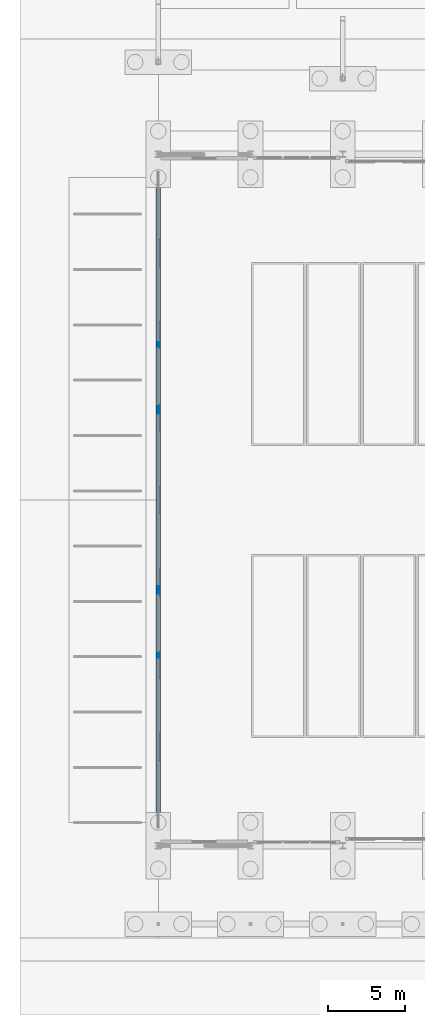
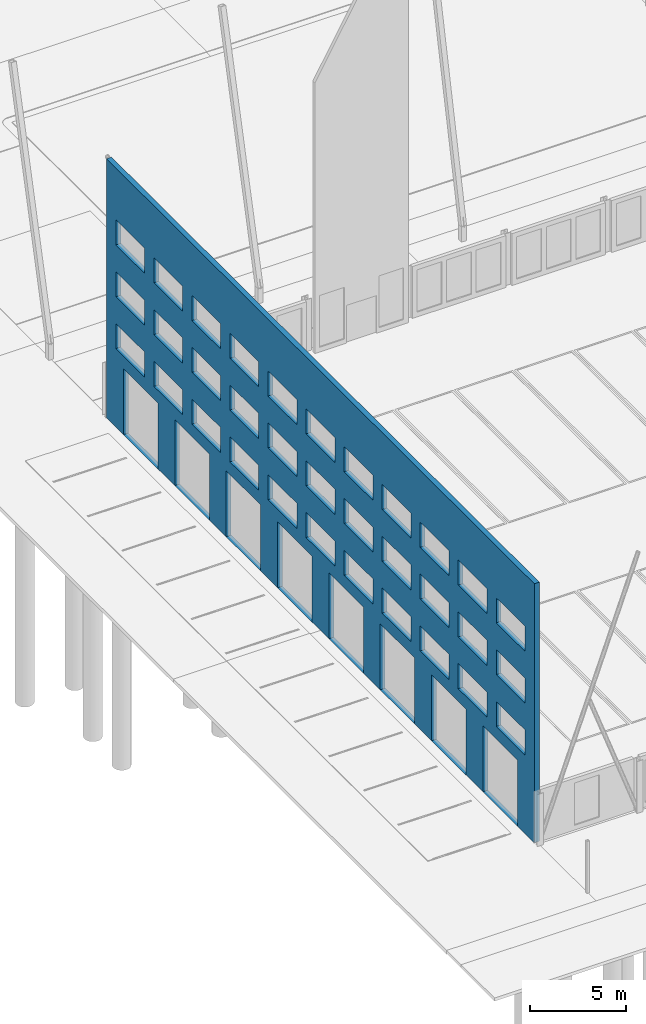
# One storey, part 77 of 130: 1 wall, 41 openings.
"""IFC4 building model written with IfcOpenShell, lengths in metres."""

from ifc_helpers import new_model, si_unit, direction, frame, frame_2d, origin, place, context, subcontext, project, spatial, rectangle, extrude, material, layer, layer_set, type_object, element, save


model = new_model("IFC4")

# Units and contexts
model_context = context("Model", 3, precision=1e-05, world=origin(), true_north=direction((0.0, 1.0)))
body_context = subcontext(model_context, "Body", "Model", "MODEL_VIEW")
ifc_project = project(units=[si_unit("LENGTHUNIT", "METRE"), si_unit("AREAUNIT", "SQUARE_METRE"), si_unit("VOLUMEUNIT", "CUBIC_METRE"), si_unit("PLANEANGLEUNIT", "RADIAN"), si_unit("MASSUNIT", "GRAM", prefix="KILO")], contexts=[model_context])

# Site, building, storey
site_placement = place(None, origin())
site = spatial("IfcSite", under=ifc_project, at=site_placement, CompositionType="ELEMENT")
building_placement = place(site_placement, origin())
building = spatial("IfcBuilding", under=site, at=building_placement, Name="Parallax Yard Mobility Hub", CompositionType="ELEMENT")
storey_placement = place(building_placement, origin())
storey = spatial("IfcBuildingStorey", under=building, at=storey_placement, Name="L00", CompositionType="ELEMENT", Elevation=0.0)

# Wall, openings
ifc_material = material(Name="Concrete fc' 35 MPa", Category="concrete")
ifc_layer = layer(ifc_material, 0.300048828125)
ifc_layer_set = layer_set([ifc_layer], Name="Portal end wall, Concrete fc' 35 MPa precast, 300")
wall_type = type_object("IfcWallType", Name="Portal end wall, Concrete fc' 35 MPa precast, 300", PredefinedType="SOLIDWALL", material=ifc_layer_set)
wall_placement = place(storey_placement, frame((9.0, 7.6865234375, 0.0), z_axis=(0.0, 0.0, 1.0), x_axis=(0.0, 1.0, 0.0)))
wall = element("IfcWall", 1, at=wall_placement, inside=storey, type_object=wall_type, Name="Bus hall west end wall bay 1 level L00", PredefinedType="SOLIDWALL", context=body_context, shape_type="SweptSolid", body=[
    extrude(rectangle(XDim=44.626953125, YDim=0.300048828125, at=frame_2d((22.3134765625, 0.0))), origin(), (0.0, 0.0, 1.0), 16.5),
])
opening_1_placement = place(wall_placement, frame((1.758544921875, 0.0, 0.0)))
element("IfcOpeningElement", 2, at=opening_1_placement, cuts=wall, Name="Opening L00-D107", PredefinedType="OPENING", context=body_context, shape_type="SweptSolid", body=[
    extrude(rectangle(XDim=3.60009765625, YDim=4.199951171875, at=frame_2d((1.800048828125, 2.10009765625))), frame((0.0, 0.16015625, 0.0), z_axis=(0.0, -1.0, 0.0), x_axis=(1.0, 0.0, 0.0)), (0.0, 0.0, 1.0), 0.320068359375),
])
opening_2_placement = place(wall_placement, frame((7.1171875, 0.0, 0.0)))
element("IfcOpeningElement", 3, at=opening_2_placement, cuts=wall, Name="Opening L00-D108", PredefinedType="OPENING", context=body_context, shape_type="SweptSolid", body=[
    extrude(rectangle(XDim=3.60009765625, YDim=4.199951171875, at=frame_2d((1.800048828125, 2.10009765625))), frame((0.0, 0.16015625, 0.0), z_axis=(0.0, -1.0, 0.0), x_axis=(1.0, 0.0, 0.0)), (0.0, 0.0, 1.0), 0.320068359375),
])
opening_3_placement = place(wall_placement, frame((12.4755859375, 0.0, 0.0)))
element("IfcOpeningElement", 4, at=opening_3_placement, cuts=wall, Name="Opening L00-D109", PredefinedType="OPENING", context=body_context, shape_type="SweptSolid", body=[
    extrude(rectangle(XDim=3.60009765625, YDim=4.199951171875, at=frame_2d((1.800048828125, 2.10009765625))), frame((0.0, 0.16015625, 0.0), z_axis=(0.0, -1.0, 0.0), x_axis=(1.0, 0.0, 0.0)), (0.0, 0.0, 1.0), 0.320068359375),
])
opening_4_placement = place(wall_placement, frame((17.834228515625, 0.0, 0.0)))
element("IfcOpeningElement", 5, at=opening_4_placement, cuts=wall, Name="Opening L00-D110", PredefinedType="OPENING", context=body_context, shape_type="SweptSolid", body=[
    extrude(rectangle(XDim=3.60009765625, YDim=4.199951171875, at=frame_2d((1.800048828125, 2.10009765625))), frame((0.0, 0.16015625, 0.0), z_axis=(0.0, -1.0, 0.0), x_axis=(1.0, 0.0, 0.0)), (0.0, 0.0, 1.0), 0.320068359375),
])
opening_5_placement = place(wall_placement, frame((23.19287109375, 0.0, 0.0)))
element("IfcOpeningElement", 6, at=opening_5_placement, cuts=wall, Name="Opening L00-D111", PredefinedType="OPENING", context=body_context, shape_type="SweptSolid", body=[
    extrude(rectangle(XDim=3.60009765625, YDim=4.199951171875, at=frame_2d((1.800048828125, 2.10009765625))), frame((0.0, 0.16015625, 0.0), z_axis=(0.0, -1.0, 0.0), x_axis=(1.0, 0.0, 0.0)), (0.0, 0.0, 1.0), 0.320068359375),
])
opening_6_placement = place(wall_placement, frame((28.55126953125, 0.0, 0.0)))
element("IfcOpeningElement", 7, at=opening_6_placement, cuts=wall, Name="Opening L00-D112", PredefinedType="OPENING", context=body_context, shape_type="SweptSolid", body=[
    extrude(rectangle(XDim=3.60009765625, YDim=4.199951171875, at=frame_2d((1.800048828125, 2.10009765625))), frame((0.0, 0.16015625, 0.0), z_axis=(0.0, -1.0, 0.0), x_axis=(1.0, 0.0, 0.0)), (0.0, 0.0, 1.0), 0.320068359375),
])
opening_7_placement = place(wall_placement, frame((33.909912109375, 0.0, 0.0)))
element("IfcOpeningElement", 8, at=opening_7_placement, cuts=wall, Name="Opening L00-D113", PredefinedType="OPENING", context=body_context, shape_type="SweptSolid", body=[
    extrude(rectangle(XDim=3.60009765625, YDim=4.199951171875, at=frame_2d((1.800048828125, 2.10009765625))), frame((0.0, 0.16015625, 0.0), z_axis=(0.0, -1.0, 0.0), x_axis=(1.0, 0.0, 0.0)), (0.0, 0.0, 1.0), 0.320068359375),
])
opening_8_placement = place(wall_placement, frame((39.268310546875, 0.0, 0.0)))
element("IfcOpeningElement", 9, at=opening_8_placement, cuts=wall, Name="Opening L00-D114", PredefinedType="OPENING", context=body_context, shape_type="SweptSolid", body=[
    extrude(rectangle(XDim=3.60009765625, YDim=4.199951171875, at=frame_2d((1.800048828125, 2.10009765625))), frame((0.0, 0.16015625, 0.0), z_axis=(0.0, -1.0, 0.0), x_axis=(1.0, 0.0, 0.0)), (0.0, 0.0, 1.0), 0.320068359375),
])
opening_9_placement = place(wall_placement, frame((0.968994140625, 0.0, 5.0)))
element("IfcOpeningElement", 10, at=opening_9_placement, cuts=wall, Name="Opening LV6", PredefinedType="OPENING", context=body_context, shape_type="SweptSolid", body=[
    extrude(rectangle(XDim=3.0, YDim=1.60009765625, at=frame_2d((1.5, 0.800048828125))), frame((0.0, 0.16015625, 0.0), z_axis=(0.0, -1.0, 0.0), x_axis=(1.0, 0.0, 0.0)), (0.0, 0.0, 1.0), 0.320068359375),
])
opening_10_placement = place(wall_placement, frame((4.937744140625, 0.0, 5.0)))
element("IfcOpeningElement", 11, at=opening_10_placement, cuts=wall, Name="Opening LV6", PredefinedType="OPENING", context=body_context, shape_type="SweptSolid", body=[
    extrude(rectangle(XDim=3.0, YDim=1.60009765625, at=frame_2d((1.5, 0.800048828125))), frame((0.0, 0.16015625, 0.0), z_axis=(0.0, -1.0, 0.0), x_axis=(1.0, 0.0, 0.0)), (0.0, 0.0, 1.0), 0.320068359375),
])
opening_11_placement = place(wall_placement, frame((8.90673828125, 0.0, 5.0)))
element("IfcOpeningElement", 12, at=opening_11_placement, cuts=wall, Name="Opening LV6", PredefinedType="OPENING", context=body_context, shape_type="SweptSolid", body=[
    extrude(rectangle(XDim=3.0, YDim=1.60009765625, at=frame_2d((1.5, 0.800048828125))), frame((0.0, 0.16015625, 0.0), z_axis=(0.0, -1.0, 0.0), x_axis=(1.0, 0.0, 0.0)), (0.0, 0.0, 1.0), 0.320068359375),
])
opening_12_placement = place(wall_placement, frame((12.875732421875, 0.0, 5.0)))
element("IfcOpeningElement", 13, at=opening_12_placement, cuts=wall, Name="Opening LV6", PredefinedType="OPENING", context=body_context, shape_type="SweptSolid", body=[
    extrude(rectangle(XDim=3.0, YDim=1.60009765625, at=frame_2d((1.5, 0.800048828125))), frame((0.0, 0.16015625, 0.0), z_axis=(0.0, -1.0, 0.0), x_axis=(1.0, 0.0, 0.0)), (0.0, 0.0, 1.0), 0.320068359375),
])
opening_13_placement = place(wall_placement, frame((16.844482421875, 0.0, 5.0)))
element("IfcOpeningElement", 14, at=opening_13_placement, cuts=wall, Name="Opening LV6", PredefinedType="OPENING", context=body_context, shape_type="SweptSolid", body=[
    extrude(rectangle(XDim=3.0, YDim=1.60009765625, at=frame_2d((1.5, 0.800048828125))), frame((0.0, 0.16015625, 0.0), z_axis=(0.0, -1.0, 0.0), x_axis=(1.0, 0.0, 0.0)), (0.0, 0.0, 1.0), 0.320068359375),
])
opening_14_placement = place(wall_placement, frame((20.8134765625, 0.0, 5.0)))
element("IfcOpeningElement", 15, at=opening_14_placement, cuts=wall, Name="Opening LV6", PredefinedType="OPENING", context=body_context, shape_type="SweptSolid", body=[
    extrude(rectangle(XDim=3.0, YDim=1.60009765625, at=frame_2d((1.5, 0.800048828125))), frame((0.0, 0.16015625, 0.0), z_axis=(0.0, -1.0, 0.0), x_axis=(1.0, 0.0, 0.0)), (0.0, 0.0, 1.0), 0.320068359375),
])
opening_15_placement = place(wall_placement, frame((24.782470703125, 0.0, 5.0)))
element("IfcOpeningElement", 16, at=opening_15_placement, cuts=wall, Name="Opening LV6", PredefinedType="OPENING", context=body_context, shape_type="SweptSolid", body=[
    extrude(rectangle(XDim=3.0, YDim=1.60009765625, at=frame_2d((1.5, 0.800048828125))), frame((0.0, 0.16015625, 0.0), z_axis=(0.0, -1.0, 0.0), x_axis=(1.0, 0.0, 0.0)), (0.0, 0.0, 1.0), 0.320068359375),
])
opening_16_placement = place(wall_placement, frame((28.751220703125, 0.0, 5.0)))
element("IfcOpeningElement", 17, at=opening_16_placement, cuts=wall, Name="Opening LV6", PredefinedType="OPENING", context=body_context, shape_type="SweptSolid", body=[
    extrude(rectangle(XDim=3.0, YDim=1.60009765625, at=frame_2d((1.5, 0.800048828125))), frame((0.0, 0.16015625, 0.0), z_axis=(0.0, -1.0, 0.0), x_axis=(1.0, 0.0, 0.0)), (0.0, 0.0, 1.0), 0.320068359375),
])
opening_17_placement = place(wall_placement, frame((32.72021484375, 0.0, 5.0)))
element("IfcOpeningElement", 18, at=opening_17_placement, cuts=wall, Name="Opening LV6", PredefinedType="OPENING", context=body_context, shape_type="SweptSolid", body=[
    extrude(rectangle(XDim=3.0, YDim=1.60009765625, at=frame_2d((1.5, 0.800048828125))), frame((0.0, 0.16015625, 0.0), z_axis=(0.0, -1.0, 0.0), x_axis=(1.0, 0.0, 0.0)), (0.0, 0.0, 1.0), 0.320068359375),
])
opening_18_placement = place(wall_placement, frame((36.689208984375, 0.0, 5.0)))
element("IfcOpeningElement", 19, at=opening_18_placement, cuts=wall, Name="Opening LV6", PredefinedType="OPENING", context=body_context, shape_type="SweptSolid", body=[
    extrude(rectangle(XDim=3.0, YDim=1.60009765625, at=frame_2d((1.5, 0.800048828125))), frame((0.0, 0.16015625, 0.0), z_axis=(0.0, -1.0, 0.0), x_axis=(1.0, 0.0, 0.0)), (0.0, 0.0, 1.0), 0.320068359375),
])
opening_19_placement = place(wall_placement, frame((40.658203125, 0.0, 5.0)))
element("IfcOpeningElement", 20, at=opening_19_placement, cuts=wall, Name="Opening LV6", PredefinedType="OPENING", context=body_context, shape_type="SweptSolid", body=[
    extrude(rectangle(XDim=3.0, YDim=1.60009765625, at=frame_2d((1.5, 0.800048828125))), frame((0.0, 0.16015625, 0.0), z_axis=(0.0, -1.0, 0.0), x_axis=(1.0, 0.0, 0.0)), (0.0, 0.0, 1.0), 0.320068359375),
])
opening_20_placement = place(wall_placement, frame((0.968994140625, 0.0, 8.300048828125)))
element("IfcOpeningElement", 21, at=opening_20_placement, cuts=wall, Name="Opening LV6", PredefinedType="OPENING", context=body_context, shape_type="SweptSolid", body=[
    extrude(rectangle(XDim=3.0, YDim=1.60009765625, at=frame_2d((1.5, 0.800048828125))), frame((0.0, 0.16015625, 0.0), z_axis=(0.0, -1.0, 0.0), x_axis=(1.0, 0.0, 0.0)), (0.0, 0.0, 1.0), 0.320068359375),
])
opening_21_placement = place(wall_placement, frame((4.937744140625, 0.0, 8.300048828125)))
element("IfcOpeningElement", 22, at=opening_21_placement, cuts=wall, Name="Opening LV6", PredefinedType="OPENING", context=body_context, shape_type="SweptSolid", body=[
    extrude(rectangle(XDim=3.0, YDim=1.60009765625, at=frame_2d((1.5, 0.800048828125))), frame((0.0, 0.16015625, 0.0), z_axis=(0.0, -1.0, 0.0), x_axis=(1.0, 0.0, 0.0)), (0.0, 0.0, 1.0), 0.320068359375),
])
opening_22_placement = place(wall_placement, frame((8.90673828125, 0.0, 8.300048828125)))
element("IfcOpeningElement", 23, at=opening_22_placement, cuts=wall, Name="Opening LV6", PredefinedType="OPENING", context=body_context, shape_type="SweptSolid", body=[
    extrude(rectangle(XDim=3.0, YDim=1.60009765625, at=frame_2d((1.5, 0.800048828125))), frame((0.0, 0.16015625, 0.0), z_axis=(0.0, -1.0, 0.0), x_axis=(1.0, 0.0, 0.0)), (0.0, 0.0, 1.0), 0.320068359375),
])
opening_23_placement = place(wall_placement, frame((12.875732421875, 0.0, 8.300048828125)))
element("IfcOpeningElement", 24, at=opening_23_placement, cuts=wall, Name="Opening LV6", PredefinedType="OPENING", context=body_context, shape_type="SweptSolid", body=[
    extrude(rectangle(XDim=3.0, YDim=1.60009765625, at=frame_2d((1.5, 0.800048828125))), frame((0.0, 0.16015625, 0.0), z_axis=(0.0, -1.0, 0.0), x_axis=(1.0, 0.0, 0.0)), (0.0, 0.0, 1.0), 0.320068359375),
])
opening_24_placement = place(wall_placement, frame((16.844482421875, 0.0, 8.300048828125)))
element("IfcOpeningElement", 25, at=opening_24_placement, cuts=wall, Name="Opening LV6", PredefinedType="OPENING", context=body_context, shape_type="SweptSolid", body=[
    extrude(rectangle(XDim=3.0, YDim=1.60009765625, at=frame_2d((1.5, 0.800048828125))), frame((0.0, 0.16015625, 0.0), z_axis=(0.0, -1.0, 0.0), x_axis=(1.0, 0.0, 0.0)), (0.0, 0.0, 1.0), 0.320068359375),
])
opening_25_placement = place(wall_placement, frame((20.8134765625, 0.0, 8.300048828125)))
element("IfcOpeningElement", 26, at=opening_25_placement, cuts=wall, Name="Opening LV6", PredefinedType="OPENING", context=body_context, shape_type="SweptSolid", body=[
    extrude(rectangle(XDim=3.0, YDim=1.60009765625, at=frame_2d((1.5, 0.800048828125))), frame((0.0, 0.16015625, 0.0), z_axis=(0.0, -1.0, 0.0), x_axis=(1.0, 0.0, 0.0)), (0.0, 0.0, 1.0), 0.320068359375),
])
opening_26_placement = place(wall_placement, frame((24.782470703125, 0.0, 8.300048828125)))
element("IfcOpeningElement", 27, at=opening_26_placement, cuts=wall, Name="Opening LV6", PredefinedType="OPENING", context=body_context, shape_type="SweptSolid", body=[
    extrude(rectangle(XDim=3.0, YDim=1.60009765625, at=frame_2d((1.5, 0.800048828125))), frame((0.0, 0.16015625, 0.0), z_axis=(0.0, -1.0, 0.0), x_axis=(1.0, 0.0, 0.0)), (0.0, 0.0, 1.0), 0.320068359375),
])
opening_27_placement = place(wall_placement, frame((28.751220703125, 0.0, 8.300048828125)))
element("IfcOpeningElement", 28, at=opening_27_placement, cuts=wall, Name="Opening LV6", PredefinedType="OPENING", context=body_context, shape_type="SweptSolid", body=[
    extrude(rectangle(XDim=3.0, YDim=1.60009765625, at=frame_2d((1.5, 0.800048828125))), frame((0.0, 0.16015625, 0.0), z_axis=(0.0, -1.0, 0.0), x_axis=(1.0, 0.0, 0.0)), (0.0, 0.0, 1.0), 0.320068359375),
])
opening_28_placement = place(wall_placement, frame((32.72021484375, 0.0, 8.300048828125)))
element("IfcOpeningElement", 29, at=opening_28_placement, cuts=wall, Name="Opening LV6", PredefinedType="OPENING", context=body_context, shape_type="SweptSolid", body=[
    extrude(rectangle(XDim=3.0, YDim=1.60009765625, at=frame_2d((1.5, 0.800048828125))), frame((0.0, 0.16015625, 0.0), z_axis=(0.0, -1.0, 0.0), x_axis=(1.0, 0.0, 0.0)), (0.0, 0.0, 1.0), 0.320068359375),
])
opening_29_placement = place(wall_placement, frame((36.689208984375, 0.0, 8.300048828125)))
element("IfcOpeningElement", 30, at=opening_29_placement, cuts=wall, Name="Opening LV6", PredefinedType="OPENING", context=body_context, shape_type="SweptSolid", body=[
    extrude(rectangle(XDim=3.0, YDim=1.60009765625, at=frame_2d((1.5, 0.800048828125))), frame((0.0, 0.16015625, 0.0), z_axis=(0.0, -1.0, 0.0), x_axis=(1.0, 0.0, 0.0)), (0.0, 0.0, 1.0), 0.320068359375),
])
opening_30_placement = place(wall_placement, frame((40.658203125, 0.0, 8.300048828125)))
element("IfcOpeningElement", 31, at=opening_30_placement, cuts=wall, Name="Opening LV6", PredefinedType="OPENING", context=body_context, shape_type="SweptSolid", body=[
    extrude(rectangle(XDim=3.0, YDim=1.60009765625, at=frame_2d((1.5, 0.800048828125))), frame((0.0, 0.16015625, 0.0), z_axis=(0.0, -1.0, 0.0), x_axis=(1.0, 0.0, 0.0)), (0.0, 0.0, 1.0), 0.320068359375),
])
opening_31_placement = place(wall_placement, frame((0.968994140625, 0.0, 11.60009765625)))
element("IfcOpeningElement", 32, at=opening_31_placement, cuts=wall, Name="Opening LV6", PredefinedType="OPENING", context=body_context, shape_type="SweptSolid", body=[
    extrude(rectangle(XDim=3.0, YDim=1.60009765625, at=frame_2d((1.5, 0.800048828125))), frame((0.0, 0.16015625, 0.0), z_axis=(0.0, -1.0, 0.0), x_axis=(1.0, 0.0, 0.0)), (0.0, 0.0, 1.0), 0.320068359375),
])
opening_32_placement = place(wall_placement, frame((4.937744140625, 0.0, 11.60009765625)))
element("IfcOpeningElement", 33, at=opening_32_placement, cuts=wall, Name="Opening LV6", PredefinedType="OPENING", context=body_context, shape_type="SweptSolid", body=[
    extrude(rectangle(XDim=3.0, YDim=1.60009765625, at=frame_2d((1.5, 0.800048828125))), frame((0.0, 0.16015625, 0.0), z_axis=(0.0, -1.0, 0.0), x_axis=(1.0, 0.0, 0.0)), (0.0, 0.0, 1.0), 0.320068359375),
])
opening_33_placement = place(wall_placement, frame((8.90673828125, 0.0, 11.60009765625)))
element("IfcOpeningElement", 34, at=opening_33_placement, cuts=wall, Name="Opening LV6", PredefinedType="OPENING", context=body_context, shape_type="SweptSolid", body=[
    extrude(rectangle(XDim=3.0, YDim=1.60009765625, at=frame_2d((1.5, 0.800048828125))), frame((0.0, 0.16015625, 0.0), z_axis=(0.0, -1.0, 0.0), x_axis=(1.0, 0.0, 0.0)), (0.0, 0.0, 1.0), 0.320068359375),
])
opening_34_placement = place(wall_placement, frame((12.875732421875, 0.0, 11.60009765625)))
element("IfcOpeningElement", 35, at=opening_34_placement, cuts=wall, Name="Opening LV6", PredefinedType="OPENING", context=body_context, shape_type="SweptSolid", body=[
    extrude(rectangle(XDim=3.0, YDim=1.60009765625, at=frame_2d((1.5, 0.800048828125))), frame((0.0, 0.16015625, 0.0), z_axis=(0.0, -1.0, 0.0), x_axis=(1.0, 0.0, 0.0)), (0.0, 0.0, 1.0), 0.320068359375),
])
opening_35_placement = place(wall_placement, frame((16.844482421875, 0.0, 11.60009765625)))
element("IfcOpeningElement", 36, at=opening_35_placement, cuts=wall, Name="Opening LV6", PredefinedType="OPENING", context=body_context, shape_type="SweptSolid", body=[
    extrude(rectangle(XDim=3.0, YDim=1.60009765625, at=frame_2d((1.5, 0.800048828125))), frame((0.0, 0.16015625, 0.0), z_axis=(0.0, -1.0, 0.0), x_axis=(1.0, 0.0, 0.0)), (0.0, 0.0, 1.0), 0.320068359375),
])
opening_36_placement = place(wall_placement, frame((20.8134765625, 0.0, 11.60009765625)))
element("IfcOpeningElement", 37, at=opening_36_placement, cuts=wall, Name="Opening LV6", PredefinedType="OPENING", context=body_context, shape_type="SweptSolid", body=[
    extrude(rectangle(XDim=3.0, YDim=1.60009765625, at=frame_2d((1.5, 0.800048828125))), frame((0.0, 0.16015625, 0.0), z_axis=(0.0, -1.0, 0.0), x_axis=(1.0, 0.0, 0.0)), (0.0, 0.0, 1.0), 0.320068359375),
])
opening_37_placement = place(wall_placement, frame((24.782470703125, 0.0, 11.60009765625)))
element("IfcOpeningElement", 38, at=opening_37_placement, cuts=wall, Name="Opening LV6", PredefinedType="OPENING", context=body_context, shape_type="SweptSolid", body=[
    extrude(rectangle(XDim=3.0, YDim=1.60009765625, at=frame_2d((1.5, 0.800048828125))), frame((0.0, 0.16015625, 0.0), z_axis=(0.0, -1.0, 0.0), x_axis=(1.0, 0.0, 0.0)), (0.0, 0.0, 1.0), 0.320068359375),
])
opening_38_placement = place(wall_placement, frame((28.751220703125, 0.0, 11.60009765625)))
element("IfcOpeningElement", 39, at=opening_38_placement, cuts=wall, Name="Opening LV6", PredefinedType="OPENING", context=body_context, shape_type="SweptSolid", body=[
    extrude(rectangle(XDim=3.0, YDim=1.60009765625, at=frame_2d((1.5, 0.800048828125))), frame((0.0, 0.16015625, 0.0), z_axis=(0.0, -1.0, 0.0), x_axis=(1.0, 0.0, 0.0)), (0.0, 0.0, 1.0), 0.320068359375),
])
opening_39_placement = place(wall_placement, frame((32.72021484375, 0.0, 11.60009765625)))
element("IfcOpeningElement", 40, at=opening_39_placement, cuts=wall, Name="Opening LV6", PredefinedType="OPENING", context=body_context, shape_type="SweptSolid", body=[
    extrude(rectangle(XDim=3.0, YDim=1.60009765625, at=frame_2d((1.5, 0.800048828125))), frame((0.0, 0.16015625, 0.0), z_axis=(0.0, -1.0, 0.0), x_axis=(1.0, 0.0, 0.0)), (0.0, 0.0, 1.0), 0.320068359375),
])
opening_40_placement = place(wall_placement, frame((36.689208984375, 0.0, 11.60009765625)))
element("IfcOpeningElement", 41, at=opening_40_placement, cuts=wall, Name="Opening LV6", PredefinedType="OPENING", context=body_context, shape_type="SweptSolid", body=[
    extrude(rectangle(XDim=3.0, YDim=1.60009765625, at=frame_2d((1.5, 0.800048828125))), frame((0.0, 0.16015625, 0.0), z_axis=(0.0, -1.0, 0.0), x_axis=(1.0, 0.0, 0.0)), (0.0, 0.0, 1.0), 0.320068359375),
])
opening_41_placement = place(wall_placement, frame((40.658203125, 0.0, 11.60009765625)))
element("IfcOpeningElement", 42, at=opening_41_placement, cuts=wall, Name="Opening LV6", PredefinedType="OPENING", context=body_context, shape_type="SweptSolid", body=[
    extrude(rectangle(XDim=3.0, YDim=1.60009765625, at=frame_2d((1.5, 0.800048828125))), frame((0.0, 0.16015625, 0.0), z_axis=(0.0, -1.0, 0.0), x_axis=(1.0, 0.0, 0.0)), (0.0, 0.0, 1.0), 0.320068359375),
])

save(model, "model.ifc")
